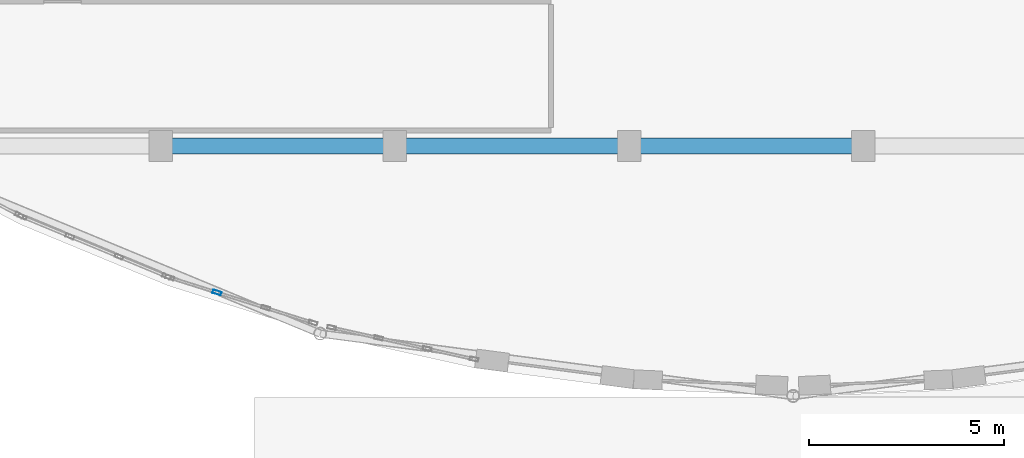
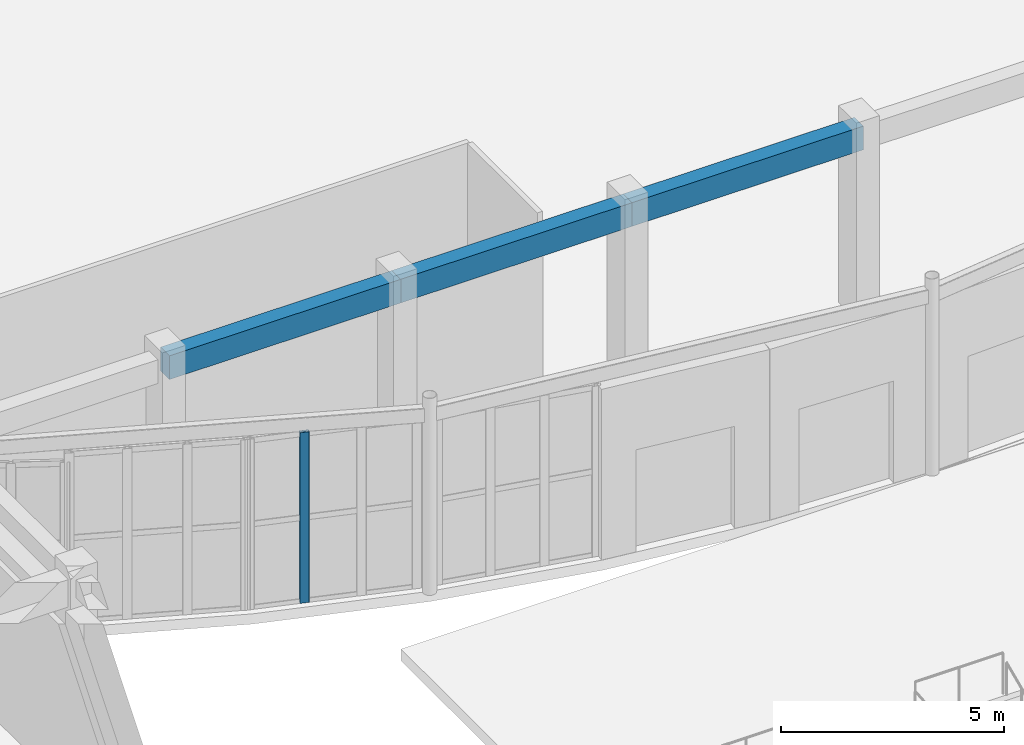
# One storey, part 11 of 98: 3 beams, 1 member, 1 element without a shape of its own.
"""IFC4 building model written with IfcOpenShell, lengths in metres."""

from ifc_helpers import new_model, si_unit, direction, frame, origin, origin_2d, place, context, subcontext, project, spatial, rectangle, hollow_rectangle, extrude, material, layer, layer_set, material_profile, profile_set, type_object, element, aggregate, save


model = new_model("IFC4")

# Units and contexts
model_context = context("Model", 3, precision=1e-05, world=origin(), true_north=direction((0.0, 1.0)))
body_context = subcontext(model_context, "Body", "Model", "MODEL_VIEW")
ifc_project = project(units=[si_unit("LENGTHUNIT", "METRE"), si_unit("AREAUNIT", "SQUARE_METRE"), si_unit("VOLUMEUNIT", "CUBIC_METRE"), si_unit("PLANEANGLEUNIT", "RADIAN"), si_unit("MASSUNIT", "GRAM", prefix="KILO")], contexts=[model_context])

# Site, building, storey
site_placement = place(None, origin())
site = spatial("IfcSite", under=ifc_project, at=site_placement, CompositionType="ELEMENT")
building_placement = place(site_placement, origin())
building = spatial("IfcBuilding", under=site, at=building_placement, Name="Tarnavel Promenade Courthouse", CompositionType="ELEMENT")
storey_placement = place(building_placement, origin())
storey = spatial("IfcBuildingStorey", under=building, at=storey_placement, Name="L01", CompositionType="ELEMENT", Elevation=0.0)

# Beams
ifc_material_1 = material(Name="Concrete C40/50", Category="concrete")
ifc_material_profile_1 = material_profile(ifc_material_1, rectangle(XDim=0.39990234375, YDim=0.64990234375, at=origin_2d()), Name="RC 400x650")
ifc_profile_set_1 = profile_set([ifc_material_profile_1], Name="Concrete C40/50")
beam_type = type_object("IfcBeamType", Name="Concrete C40/50 BM-RC-400x650 (RC 400x650)", PredefinedType="BEAM", material=ifc_profile_set_1)
for number, where, z_axis, x_axis, name in (
    (1, (15.60009765625, 14.800048828125, 4.77001953125), (1.0, 0.0, 0.0), (0.0, 1.0, 0.0), "L01 Primary Longitudinal Beam 0581"),
    (2, (21.60009765625, 14.800048828125, 4.77001953125), (1.0, 0.0, 0.0), (0.0, 1.0, 0.0), "L01 Primary Longitudinal Beam 0582"),
    (3, (27.60009765625, 14.800048828125, 4.77001953125), (1.0, 0.0, 0.0), (0.0, 1.0, 0.0), "L01 Primary Longitudinal Beam 0583"),
):
    element("IfcBeam", number, at=place(storey_placement, frame(where, z_axis=z_axis, x_axis=x_axis)), inside=storey, type_object=beam_type, Name=name, PredefinedType="BEAM", context=body_context, shape_type="SweptSolid", body=[
        extrude(rectangle(XDim=0.39990234375, YDim=0.64990234375, at=origin_2d()), origin(), (0.0, 0.0, 1.0), 6.0),
    ])

# Curtain wall, member
ifc_material_2 = material(Name="Thermally Broken Anodised Aluminium Curtain Wall System", Category="aluminium")
ifc_layer = layer(ifc_material_2, 0.219970703125)
ifc_layer_set = layer_set([ifc_layer], Name="Thermally Broken Anodised Aluminium Curtain Wall System")
curtain_wall_type = type_object("IfcCurtainWallType", Name="Thermally Broken Aluminium Triple-Glazed Curtain Wall CW-DRUM", PredefinedType="NOTDEFINED", material=ifc_layer_set)
curtain_wall_placement = place(storey_placement, origin())
curtain_wall = element("IfcCurtainWall", 4, at=curtain_wall_placement, inside=storey, type_object=curtain_wall_type, Name="L01 Public Hall Drum Curtain Wall 003", PredefinedType="NOTDEFINED")
ifc_material_3 = material(Name="Thermally Broken Anodised Aluminium Frame", Category="aluminium")
ifc_material_profile_2 = material_profile(ifc_material_3, hollow_rectangle(XDim=0.090087890625, YDim=0.219970703125, WallThickness=0.0048828125, InnerFilletRadius=0.0048828125, OuterFilletRadius=0.010009765625, at=origin_2d()), Name="CWM 220x90x5")
ifc_profile_set_2 = profile_set([ifc_material_profile_2], Name="Thermally Broken Anodised Aluminium Frame")
member_type = type_object("IfcMemberType", Name="Thermally Broken Anodised Aluminium CWM-175 (CWM 220x90x5)", PredefinedType="MULLION", material=ifc_profile_set_2)
member_placement = place(storey_placement, frame((17.045166015625, 11.0478515625, 0.0), z_axis=(0.0, 0.0, 1.0), x_axis=(0.300704046766, 0.953717503383, 0.0)))
member = element("IfcMember", 5, at=member_placement, type_object=member_type, Name="CW-01 mullion 2", PredefinedType="MULLION", context=body_context, shape_type="SweptSolid", body=[
    extrude(hollow_rectangle(XDim=0.090087890625, YDim=0.219970703125, WallThickness=0.0048828125, InnerFilletRadius=0.0048828125, OuterFilletRadius=0.010009765625, at=origin_2d()), origin(), (0.0, 0.0, 1.0), 4.679931640625),
])
aggregate(curtain_wall, [member])

save(model, "model.ifc")
